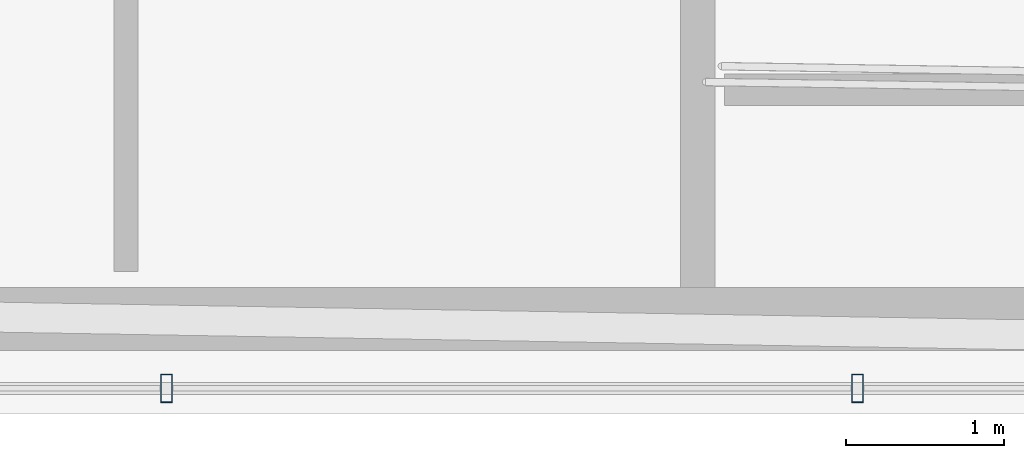
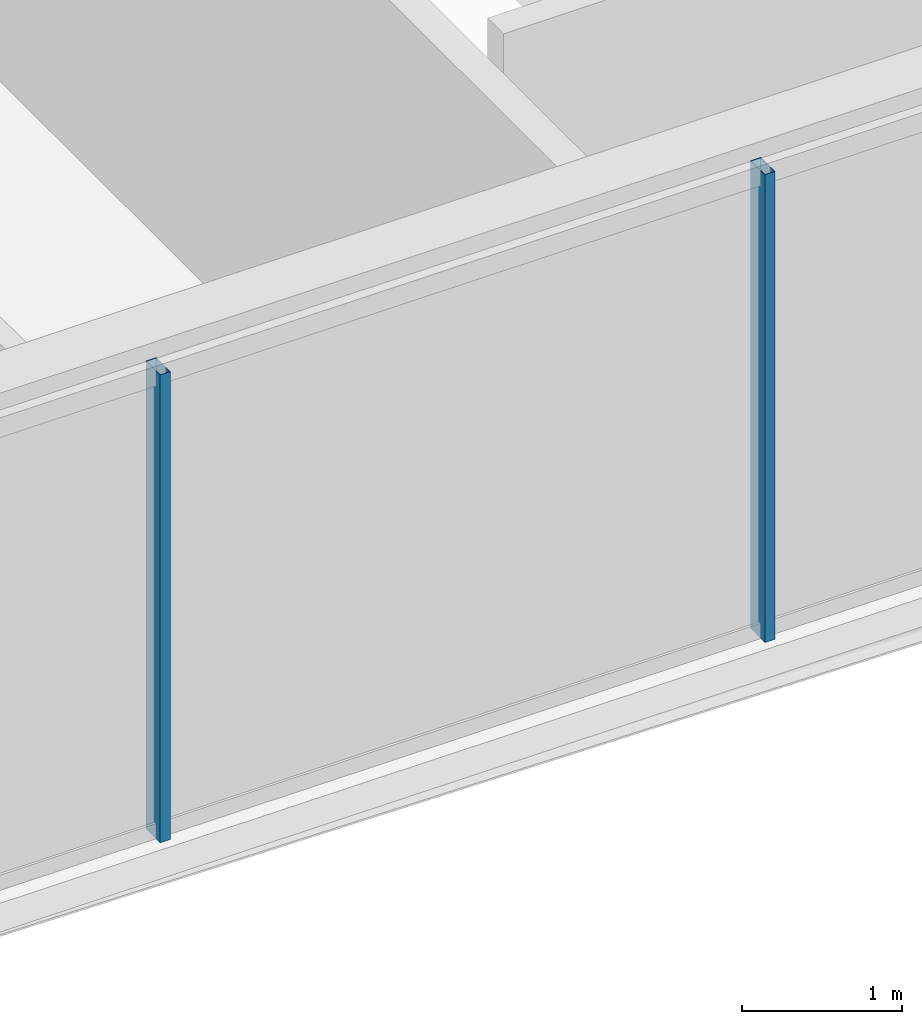
# One storey, part 6 of 29: 2 members, 1 element without a shape of its own.
"""IFC4 building model written with IfcOpenShell, lengths in metres."""

from ifc_helpers import new_model, si_unit, direction, frame, origin, origin_2d, place, context, subcontext, project, spatial, hollow_rectangle, extrude, material, layer, layer_set, material_profile, profile_set, type_object, element, aggregate, save


model = new_model("IFC4")

# Units and contexts
model_context = context("Model", 3, precision=1e-05, world=origin(), true_north=direction((0.0, 1.0)))
body_context = subcontext(model_context, "Body", "Model", "MODEL_VIEW")
ifc_project = project(units=[si_unit("LENGTHUNIT", "METRE"), si_unit("AREAUNIT", "SQUARE_METRE"), si_unit("VOLUMEUNIT", "CUBIC_METRE"), si_unit("PLANEANGLEUNIT", "RADIAN"), si_unit("MASSUNIT", "GRAM", prefix="KILO")], contexts=[model_context])

# Site, building, storey
site_placement = place(None, origin())
site = spatial("IfcSite", under=ifc_project, at=site_placement, CompositionType="ELEMENT")
building_placement = place(site_placement, origin())
building = spatial("IfcBuilding", under=site, at=building_placement, Name="Ndaravel Arena Tower", CompositionType="ELEMENT")
storey_placement = place(building_placement, frame((0.0, 0.0, 240.800048828125)))
storey = spatial("IfcBuildingStorey", under=building, at=storey_placement, Name="L58", CompositionType="ELEMENT", Elevation=240.800048828125)

# Curtain wall, members
ifc_material_1 = material(Name="Aluminium", Category="aluminium")
ifc_layer = layer(ifc_material_1, 0.179931640625)
ifc_layer_set = layer_set([ifc_layer], Name="Aluminium")
curtain_wall_type = type_object("IfcCurtainWallType", Name="CW-SYS-03", PredefinedType="NOTDEFINED", material=ifc_layer_set)
curtain_wall_placement = place(storey_placement, origin())
curtain_wall = element("IfcCurtainWall", 1, at=curtain_wall_placement, inside=storey, type_object=curtain_wall_type, Name="L58 Faceted Crystal Curtain Wall CW-L58-E01", PredefinedType="NOTDEFINED")
ifc_material_2 = material(Name="Aluminium", Category="aluminium")
ifc_material_profile = material_profile(ifc_material_2, hollow_rectangle(XDim=0.074951171875, YDim=0.179931640625, WallThickness=0.00390625, at=origin_2d()), Name="CW MULLION 75x180x4")
ifc_profile_set = profile_set([ifc_material_profile], Name="Aluminium")
member_type = type_object("IfcMemberType", Name="MEM-CW-MUL180", PredefinedType="MULLION", material=ifc_profile_set)
member_1_placement = place(storey_placement, frame((35.43603515625, 5.159912109375, 0.0), z_axis=(0.0, 0.0, 1.0), x_axis=(1.0, 0.0, 0.0)))
member_1 = element("IfcMember", 2, at=member_1_placement, type_object=member_type, Name="CW-L58-E01 Mullion 03", PredefinedType="MULLION", context=body_context, shape_type="SweptSolid", body=[
    extrude(hollow_rectangle(XDim=0.074951171875, YDim=0.179931640625, WallThickness=0.00390625, at=origin_2d()), origin(), (0.0, 0.0, 1.0), 3.579833984375),
])
member_2_placement = place(storey_placement, frame((39.81201171875, 5.159912109375, 0.0), z_axis=(0.0, 0.0, 1.0), x_axis=(1.0, 0.0, 0.0)))
member_2 = element("IfcMember", 3, at=member_2_placement, type_object=member_type, Name="CW-L58-E01 Mullion 04", PredefinedType="MULLION", context=body_context, shape_type="SweptSolid", body=[
    extrude(hollow_rectangle(XDim=0.074951171875, YDim=0.179931640625, WallThickness=0.00390625, at=origin_2d()), origin(), (0.0, 0.0, 1.0), 3.579833984375),
])
aggregate(curtain_wall, [member_1, member_2])

save(model, "model.ifc")
